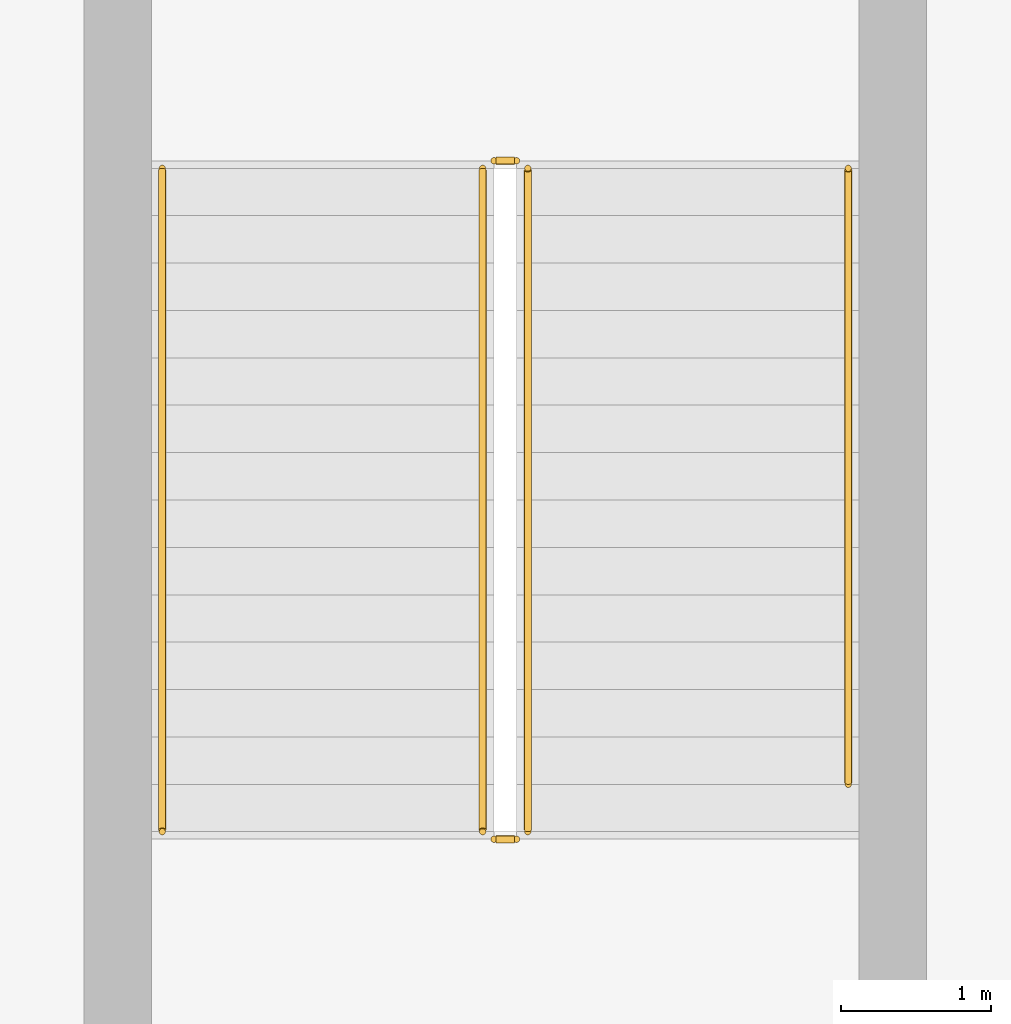
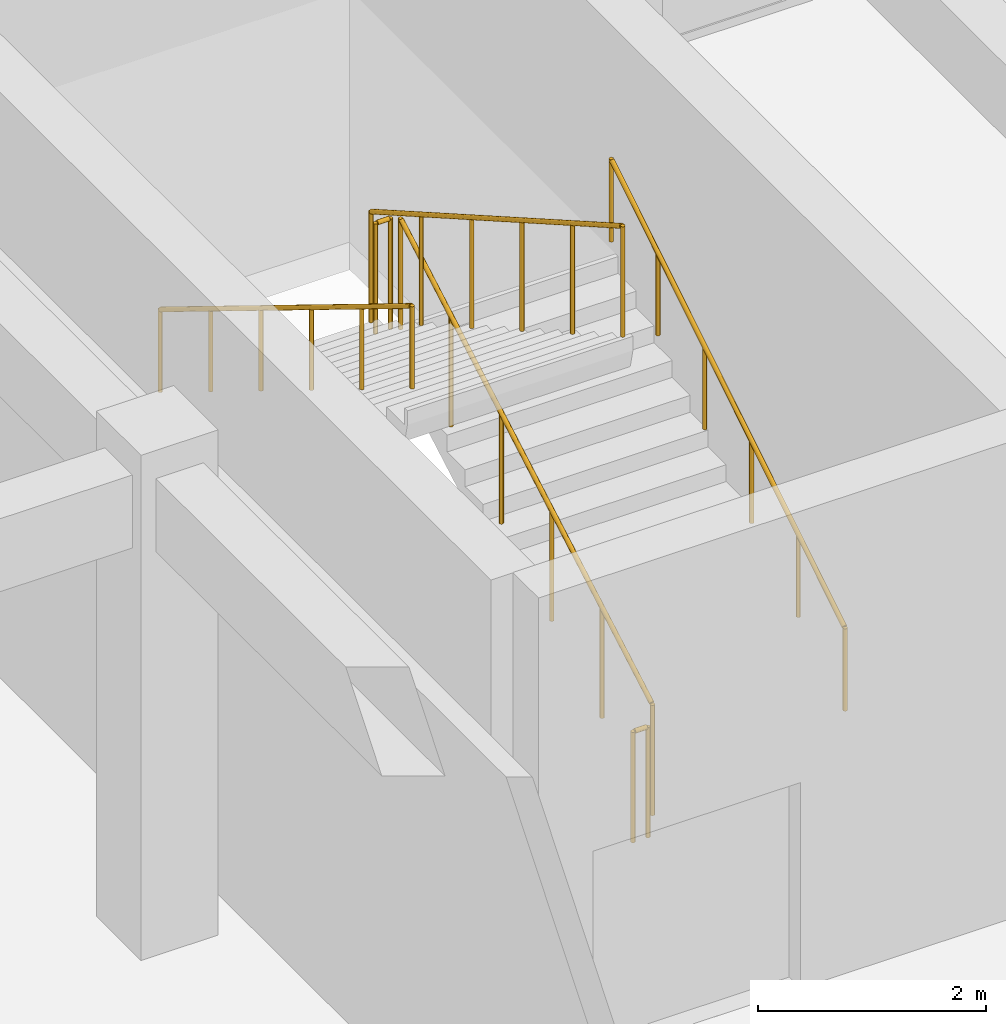
# One storey, part 125 of 134: 6 railings.
"""IFC4 building model written with IfcOpenShell, lengths in metres."""

from ifc_helpers import new_model, si_unit, direction, frame, origin, origin_2d, place, context, subcontext, project, spatial, circle, extrude, material, type_object, element, save


model = new_model("IFC4")

# Units and contexts
model_context = context("Model", 3, precision=1e-05, world=origin(), true_north=direction((0.0, 1.0)))
body_context = subcontext(model_context, "Body", "Model", "MODEL_VIEW")
ifc_project = project(units=[si_unit("LENGTHUNIT", "METRE"), si_unit("AREAUNIT", "SQUARE_METRE"), si_unit("VOLUMEUNIT", "CUBIC_METRE"), si_unit("PLANEANGLEUNIT", "RADIAN"), si_unit("MASSUNIT", "GRAM", prefix="KILO")], contexts=[model_context])

# Site, building, storey
site_placement = place(None, origin())
site = spatial("IfcSite", under=ifc_project, at=site_placement, CompositionType="ELEMENT")
building_placement = place(site_placement, origin())
building = spatial("IfcBuilding", under=site, at=building_placement, Name="Nakhvara Creek Congress Hotel", CompositionType="ELEMENT")
storey_placement = place(building_placement, frame((0.0, 0.0, 6.0)))
storey = spatial("IfcBuildingStorey", under=building, at=storey_placement, Name="L01", CompositionType="ELEMENT", Elevation=6.0)

# Railings
ifc_material = material(Name="Brushed stainless steel 316L", Category="steel")
railing_type_1 = type_object("IfcRailingType", Name="RL-GUARD-1200", PredefinedType="GUARDRAIL", material=ifc_material)
railing_1_placement = place(storey_placement, frame((119.675048828125, 85.47998046875, 0.179931640625)))
element("IfcRailing", 1, at=railing_1_placement, inside=storey, type_object=railing_type_1, Name="L01 ST09 stair guard 1", PredefinedType="GUARDRAIL", context=body_context, shape_type="SweptSolid", body=[
    extrude(circle(Radius=0.02392578125, at=origin_2d()), frame((0.0, 0.0126953125, 1.18310546875), z_axis=(0.0, 0.868237226104, 0.49614929125), x_axis=(-1.0, 0.0, 0.0)), (0.0, 0.0, 1.0), 5.0498046875),
    extrude(circle(Radius=0.02099609375, at=origin_2d()), origin(), (0.0, 0.0, 1.0), 1.1806640625),
    extrude(circle(Radius=0.02099609375, at=origin_2d()), frame((0.0, 0.882080078125, 0.50390625)), (0.0, 0.0, 1.0), 1.1806640625),
    extrude(circle(Radius=0.02099609375, at=origin_2d()), frame((0.0, 1.763916015625, 1.008056640625)), (0.0, 0.0, 1.0), 1.1806640625),
    extrude(circle(Radius=0.02099609375, at=origin_2d()), frame((0.0, 2.64599609375, 1.511962890625)), (0.0, 0.0, 1.0), 1.1806640625),
    extrude(circle(Radius=0.02099609375, at=origin_2d()), frame((0.0, 3.52783203125, 2.01611328125)), (0.0, 0.0, 1.0), 1.1806640625),
    extrude(circle(Radius=0.02099609375, at=origin_2d()), frame((0.0, 4.409912109375, 2.52001953125)), (0.0, 0.0, 1.0), 1.1806640625),
])
railing_2_placement = place(storey_placement, frame((119.60009765625, 89.93994140625, 2.699951171875)))
element("IfcRailing", 2, at=railing_2_placement, inside=storey, type_object=railing_type_1, Name="L01 ST09 stair guard 2", PredefinedType="GUARDRAIL", context=body_context, shape_type="SweptSolid", body=[
    extrude(circle(Radius=0.02392578125, at=origin_2d()), frame((-0.0146484375, 0.0, 1.17578125), z_axis=(-1.0, 0.0, 0.0), x_axis=(0.0, -1.0, 0.0)), (0.0, 0.0, 1.0), 0.120849609375),
    extrude(circle(Radius=0.02099609375, at=origin_2d()), origin(), (0.0, 0.0, 1.0), 1.1806640625),
    extrude(circle(Radius=0.02099609375, at=origin_2d()), frame((-0.150146484375, 0.0, 0.0)), (0.0, 0.0, 1.0), 1.1806640625),
])
railing_3_placement = place(storey_placement, frame((119.375, 89.889892578125, 2.8798828125)))
element("IfcRailing", 3, at=railing_3_placement, inside=storey, type_object=railing_type_1, Name="L01 ST09 stair guard 3", PredefinedType="GUARDRAIL", context=body_context, shape_type="SweptSolid", body=[
    extrude(circle(Radius=0.02392578125, at=origin_2d()), frame((0.0, -0.0126953125, 1.18310546875), z_axis=(0.0, -0.868237226104, 0.49614929125), x_axis=(1.0, 0.0, 0.0)), (0.0, 0.0, 1.0), 5.0498046875),
    extrude(circle(Radius=0.02099609375, at=origin_2d()), origin(), (0.0, 0.0, 1.0), 1.1806640625),
    extrude(circle(Radius=0.02099609375, at=origin_2d()), frame((0.0, -0.882080078125, 0.50390625)), (0.0, 0.0, 1.0), 1.1806640625),
    extrude(circle(Radius=0.02099609375, at=origin_2d()), frame((0.0, -1.763916015625, 1.008056640625)), (0.0, 0.0, 1.0), 1.1806640625),
    extrude(circle(Radius=0.02099609375, at=origin_2d()), frame((0.0, -2.64599609375, 1.511962890625)), (0.0, 0.0, 1.0), 1.1806640625),
    extrude(circle(Radius=0.02099609375, at=origin_2d()), frame((0.0, -3.52783203125, 2.01611328125)), (0.0, 0.0, 1.0), 1.1806640625),
    extrude(circle(Radius=0.02099609375, at=origin_2d()), frame((0.0, -4.409912109375, 2.52001953125)), (0.0, 0.0, 1.0), 1.1806640625),
])
railing_4_placement = place(storey_placement, frame((119.60009765625, 85.429931640625, 0.0)))
element("IfcRailing", 4, at=railing_4_placement, inside=storey, type_object=railing_type_1, Name="L01 ST09 stair guard 4", PredefinedType="GUARDRAIL", context=body_context, shape_type="SweptSolid", body=[
    extrude(circle(Radius=0.02392578125, at=origin_2d()), frame((-0.0146484375, 0.0, 1.17578125), z_axis=(-1.0, 0.0, 0.0), x_axis=(0.0, -1.0, 0.0)), (0.0, 0.0, 1.0), 0.120849609375),
    extrude(circle(Radius=0.02099609375, at=origin_2d()), origin(), (0.0, 0.0, 1.0), 1.1806640625),
    extrude(circle(Radius=0.02099609375, at=origin_2d()), frame((-0.150146484375, 0.0, 0.0)), (0.0, 0.0, 1.0), 1.1806640625),
])
railing_type_2 = type_object("IfcRailingType", Name="RL-HAND-900", PredefinedType="HANDRAIL", material=ifc_material)
railing_5_placement = place(storey_placement, frame((121.804931640625, 85.794921875, 0.360107421875)))
element("IfcRailing", 5, at=railing_5_placement, inside=storey, type_object=railing_type_2, Name="L01 ST09 stair handrail 1", PredefinedType="HANDRAIL", context=body_context, shape_type="SweptSolid", body=[
    extrude(circle(Radius=0.02392578125, at=origin_2d()), frame((0.0, 0.012451171875, 0.883544921875), z_axis=(0.0, 0.850634571024, 0.52575738376), x_axis=(-1.0, 0.0, 0.0)), (0.0, 0.0, 1.0), 4.78466796875),
    extrude(circle(Radius=0.02099609375, at=origin_2d()), origin(), (0.0, 0.0, 1.0), 0.880615234375),
    extrude(circle(Radius=0.02099609375, at=origin_2d()), frame((0.0, 0.819091796875, 0.506103515625)), (0.0, 0.0, 1.0), 0.880615234375),
    extrude(circle(Radius=0.02099609375, at=origin_2d()), frame((0.0, 1.637939453125, 1.012451171875)), (0.0, 0.0, 1.0), 0.880615234375),
    extrude(circle(Radius=0.02099609375, at=origin_2d()), frame((0.0, 2.45703125, 1.5185546875)), (0.0, 0.0, 1.0), 0.880615234375),
    extrude(circle(Radius=0.02099609375, at=origin_2d()), frame((0.0, 3.27587890625, 2.02490234375)), (0.0, 0.0, 1.0), 0.880615234375),
    extrude(circle(Radius=0.02099609375, at=origin_2d()), frame((0.0, 4.094970703125, 2.531005859375)), (0.0, 0.0, 1.0), 0.880615234375),
])
railing_6_placement = place(storey_placement, frame((117.2451171875, 89.889892578125, 2.8798828125)))
element("IfcRailing", 6, at=railing_6_placement, inside=storey, type_object=railing_type_2, Name="L01 ST09 stair handrail 2", PredefinedType="HANDRAIL", context=body_context, shape_type="SweptSolid", body=[
    extrude(circle(Radius=0.02392578125, at=origin_2d()), frame((0.0, -0.012451171875, 0.883544921875), z_axis=(0.0, -0.851883319301, 0.523731620486), x_axis=(1.0, 0.0, 0.0)), (0.0, 0.0, 1.0), 5.147216796875),
    extrude(circle(Radius=0.02099609375, at=origin_2d()), origin(), (0.0, 0.0, 1.0), 0.880615234375),
    extrude(circle(Radius=0.02099609375, at=origin_2d()), frame((0.0, -0.882080078125, 0.542236328125)), (0.0, 0.0, 1.0), 0.880615234375),
    extrude(circle(Radius=0.02099609375, at=origin_2d()), frame((0.0, -1.763916015625, 1.08447265625)), (0.0, 0.0, 1.0), 0.880615234375),
    extrude(circle(Radius=0.02099609375, at=origin_2d()), frame((0.0, -2.64599609375, 1.626708984375)), (0.0, 0.0, 1.0), 0.880615234375),
    extrude(circle(Radius=0.02099609375, at=origin_2d()), frame((0.0, -3.52783203125, 2.1689453125)), (0.0, 0.0, 1.0), 0.880615234375),
    extrude(circle(Radius=0.02099609375, at=origin_2d()), frame((0.0, -4.409912109375, 2.711181640625)), (0.0, 0.0, 1.0), 0.880615234375),
])

save(model, "model.ifc")
